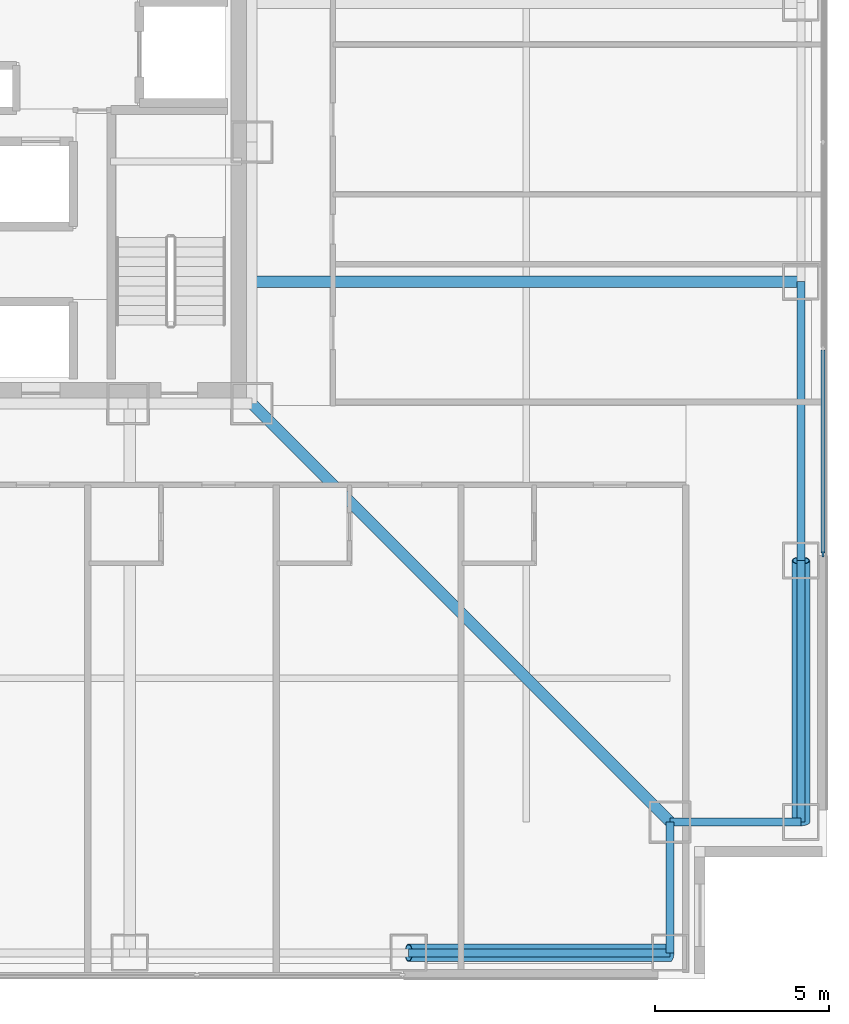
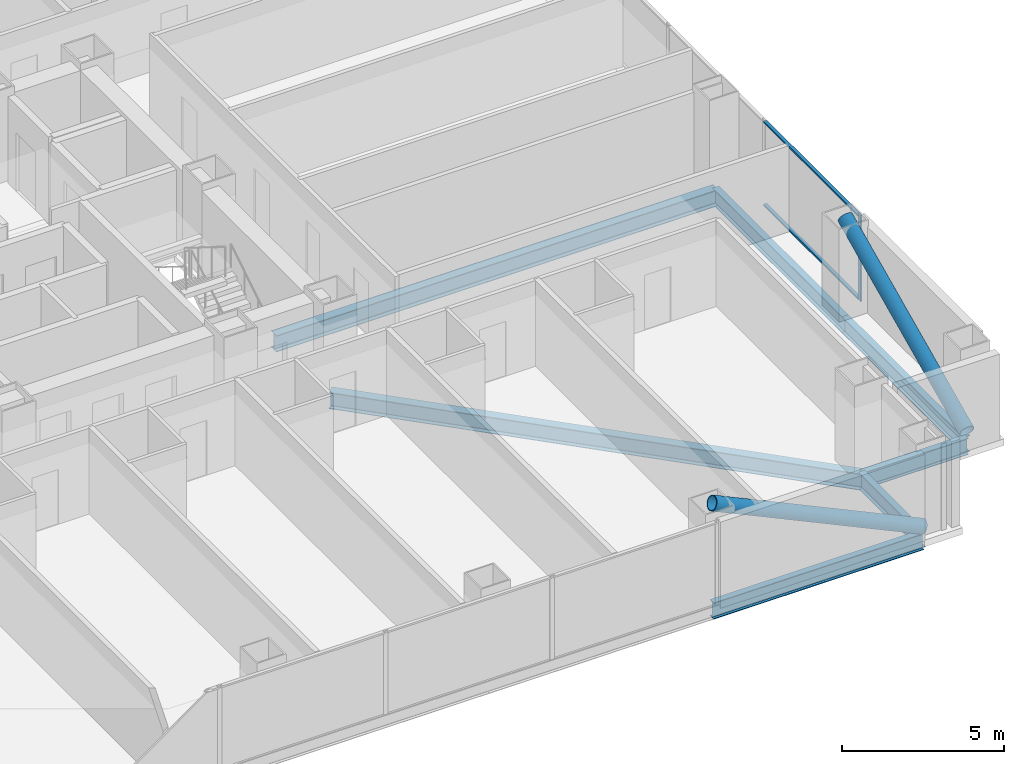
# One storey, part 9 of 23: 7 beams, 5 members, 1 element without a shape of its own.
"""IFC4 building model written with IfcOpenShell, lengths in metres."""

from ifc_helpers import new_model, si_unit, direction, frame, origin, origin_2d, place, context, subcontext, project, spatial, rectangle, hollow_circle, i_section, extrude, material, layer, layer_set, material_profile, profile_set, type_object, element, aggregate, save


model = new_model("IFC4")

# Units and contexts
model_context = context("Model", 3, precision=1e-05, world=origin(), true_north=direction((0.0, 1.0)))
body_context = subcontext(model_context, "Body", "Model", "MODEL_VIEW")
ifc_project = project(units=[si_unit("LENGTHUNIT", "METRE"), si_unit("AREAUNIT", "SQUARE_METRE"), si_unit("VOLUMEUNIT", "CUBIC_METRE"), si_unit("PLANEANGLEUNIT", "RADIAN"), si_unit("MASSUNIT", "GRAM", prefix="KILO")], contexts=[model_context])

# Site, building, storey
site_placement = place(None, origin())
site = spatial("IfcSite", under=ifc_project, at=site_placement, CompositionType="ELEMENT")
building_placement = place(site_placement, origin())
building = spatial("IfcBuilding", under=site, at=building_placement, Name="Trevonay Congress Spire", CompositionType="ELEMENT")
storey_placement = place(building_placement, frame((0.0, 0.0, 34.0)))
storey = spatial("IfcBuildingStorey", under=building, at=storey_placement, Name="L07", CompositionType="ELEMENT", Elevation=34.0)

# Beams
ifc_material_1 = material(Name="Steel ASTM A572 Grade 50", Category="steel")
ifc_material_profile_1 = material_profile(ifc_material_1, i_section(OverallWidth=0.324951171875, OverallDepth=0.615966796875, WebThickness=0.013916015625, FlangeThickness=0.021484375, FilletRadius=0.01806640625, at=origin_2d()), Name="W610x174")
ifc_profile_set_1 = profile_set([ifc_material_profile_1], Name="Steel ASTM A572 Grade 50")
beam_type_1 = type_object("IfcBeamType", Name="BM-GIRD-W610X174", PredefinedType="BEAM", material=ifc_profile_set_1)
beam_1_placement = place(storey_placement, frame((7.5, -7.5, -0.55810546875), z_axis=(0.707106781187, -0.707106781187, 0.0), x_axis=(0.707106781187, 0.707106781187, 0.0)))
element("IfcBeam", 1, at=beam_1_placement, inside=storey, type_object=beam_type_1, Name="L07 structural beam BM-L07-CDSE", PredefinedType="BEAM", context=body_context, shape_type="SweptSolid", body=[
    extrude(i_section(OverallWidth=0.324951171875, OverallDepth=0.615966796875, WebThickness=0.013916015625, FlangeThickness=0.021484375, FilletRadius=0.01806640625, at=origin_2d()), origin(), (0.0, 0.0, 1.0), 16.970458984375),
])
beam_2_placement = place(storey_placement, frame((7.5, -4.0, -0.55810546875), z_axis=(1.0, 0.0, 0.0), x_axis=(0.0, 1.0, 0.0)))
element("IfcBeam", 2, at=beam_2_placement, inside=storey, type_object=beam_type_1, Name="L07 structural beam BM-L07-GE-M", PredefinedType="BEAM", context=body_context, shape_type="SweptSolid", body=[
    extrude(i_section(OverallWidth=0.324951171875, OverallDepth=0.615966796875, WebThickness=0.013916015625, FlangeThickness=0.021484375, FilletRadius=0.01806640625, at=origin_2d()), origin(), (0.0, 0.0, 1.0), 15.75),
])
ifc_material_profile_2 = material_profile(ifc_material_1, i_section(OverallWidth=0.22998046875, OverallDepth=0.616943359375, WebThickness=0.01318359375, FlangeThickness=0.022216796875, FilletRadius=0.01611328125, at=origin_2d()), Name="W610x140")
ifc_profile_set_2 = profile_set([ifc_material_profile_2], Name="Steel ASTM A572 Grade 50")
beam_type_2 = type_object("IfcBeamType", Name="BM-RING-W610X140", PredefinedType="BEAM", material=ifc_profile_set_2)
beam_3_placement = place(storey_placement, frame((23.25, -19.5, -0.55859375), z_axis=(0.0, 1.0, 0.0), x_axis=(-1.0, 0.0, 0.0)))
element("IfcBeam", 3, at=beam_3_placement, inside=storey, type_object=beam_type_2, Name="L07 structural beam BM-L07-PE1", PredefinedType="BEAM", context=body_context, shape_type="SweptSolid", body=[
    extrude(i_section(OverallWidth=0.22998046875, OverallDepth=0.616943359375, WebThickness=0.01318359375, FlangeThickness=0.022216796875, FilletRadius=0.01611328125, at=origin_2d()), origin(), (0.0, 0.0, 1.0), 7.5),
])
beam_4_placement = place(storey_placement, frame((23.25, -12.0, -0.55859375), z_axis=(0.0, 1.0, 0.0), x_axis=(-1.0, 0.0, 0.0)))
element("IfcBeam", 4, at=beam_4_placement, inside=storey, type_object=beam_type_2, Name="L07 structural beam BM-L07-PE2", PredefinedType="BEAM", context=body_context, shape_type="SweptSolid", body=[
    extrude(i_section(OverallWidth=0.22998046875, OverallDepth=0.616943359375, WebThickness=0.01318359375, FlangeThickness=0.022216796875, FilletRadius=0.01611328125, at=origin_2d()), origin(), (0.0, 0.0, 1.0), 8.0),
])
beam_5_placement = place(storey_placement, frame((12.0, -23.25, -0.55859375), z_axis=(1.0, 0.0, 0.0), x_axis=(0.0, 1.0, 0.0)))
element("IfcBeam", 5, at=beam_5_placement, inside=storey, type_object=beam_type_2, Name="L07 structural beam BM-L07-PS5", PredefinedType="BEAM", context=body_context, shape_type="SweptSolid", body=[
    extrude(i_section(OverallWidth=0.22998046875, OverallDepth=0.616943359375, WebThickness=0.01318359375, FlangeThickness=0.022216796875, FilletRadius=0.01611328125, at=origin_2d()), origin(), (0.0, 0.0, 1.0), 7.5),
])
for number, where, z_axis, x_axis, name in (
    (6, (19.5, -23.25, -0.55859375), (0.0, 1.0, 0.0), (-1.0, 0.0, 0.0), "L07 structural beam BM-L07-N1SE"),
    (7, (23.25, -19.5, -0.55859375), (-1.0, 0.0, 0.0), (0.0, -1.0, 0.0), "L07 structural beam BM-L07-N2SE"),
):
    element("IfcBeam", number, at=place(storey_placement, frame(where, z_axis=z_axis, x_axis=x_axis)), inside=storey, type_object=beam_type_2, Name=name, PredefinedType="BEAM", context=body_context, shape_type="SweptSolid", body=[
        extrude(i_section(OverallWidth=0.22998046875, OverallDepth=0.616943359375, WebThickness=0.01318359375, FlangeThickness=0.022216796875, FilletRadius=0.01611328125, at=origin_2d()), origin(), (0.0, 0.0, 1.0), 3.75),
    ])

# Curtain wall, members
ifc_material_2 = material(Name="Pale Anodised Aluminium EN AW-6063-T6", Category="aluminium")
ifc_layer = layer(ifc_material_2, 0.179931640625, Name="Pale Anodised Aluminium EN AW-6063-T6")
ifc_layer_set = layer_set([ifc_layer], Name="Pale Anodised Aluminium EN AW-6063-T6")
curtain_wall_type = type_object("IfcCurtainWallType", Name="CW-SYS02-HOTEL-PALE-METAL", PredefinedType="NOTDEFINED", material=ifc_layer_set)
curtain_wall_placement = place(storey_placement, origin())
curtain_wall = element("IfcCurtainWall", 8, at=curtain_wall_placement, inside=storey, type_object=curtain_wall_type, Name="L07 E unitised curtain wall", PredefinedType="NOTDEFINED")
ifc_material_profile_3 = material_profile(ifc_material_2, rectangle(XDim=0.06005859375, YDim=0.159912109375, at=origin_2d()), Name="CW-MULLION-160-ALUMINIUM")
ifc_profile_set_3 = profile_set([ifc_material_profile_3], Name="Pale Anodised Aluminium EN AW-6063-T6")
member_type_1 = type_object("IfcMemberType", Name="CW-MULLION-160-ALUMINIUM", PredefinedType="MULLION", material=ifc_profile_set_3)
member_1_placement = place(storey_placement, frame((23.8798828125, -11.820068359375, 0.0), z_axis=(0.0, 0.0, 1.0), x_axis=(-1.0, 0.0, 0.0)))
member_1 = element("IfcMember", 9, at=member_1_placement, type_object=member_type_1, Name="CW02 mullion 1", PredefinedType="MULLION", context=body_context, shape_type="SweptSolid", body=[
    extrude(rectangle(XDim=0.06005859375, YDim=0.159912109375, at=origin_2d()), origin(), (0.0, 0.0, 1.0), 3.25),
])
ifc_material_profile_4 = material_profile(ifc_material_2, rectangle(XDim=0.1201171875, YDim=0.06005859375, at=origin_2d()), Name="CW-TRANSOM-120-ALUMINIUM")
ifc_profile_set_4 = profile_set([ifc_material_profile_4], Name="Pale Anodised Aluminium EN AW-6063-T6")
member_type_2 = type_object("IfcMemberType", Name="CW-TRANSOM-120-ALUMINIUM", PredefinedType="USERDEFINED", material=ifc_profile_set_4)
member_2_placement = place(storey_placement, frame((23.8798828125, -11.7900390625, 0.06005859375), z_axis=(0.0, 1.0, 0.0), x_axis=(-1.0, 0.0, 0.0)))
member_2 = element("IfcMember", 10, at=member_2_placement, type_object=member_type_2, Name="CW02 transom 1.1", ObjectType="TRANSOM", PredefinedType="USERDEFINED", context=body_context, shape_type="SweptSolid", body=[
    extrude(rectangle(XDim=0.1201171875, YDim=0.06005859375, at=origin_2d()), origin(), (0.0, 0.0, 1.0), 5.8349609375),
])
member_3_placement = place(storey_placement, frame((23.8798828125, -11.7900390625, 3.18994140625), z_axis=(0.0, 1.0, 0.0), x_axis=(-1.0, 0.0, 0.0)))
member_3 = element("IfcMember", 11, at=member_3_placement, type_object=member_type_2, Name="CW02 transom 1.2", ObjectType="TRANSOM", PredefinedType="USERDEFINED", context=body_context, shape_type="SweptSolid", body=[
    extrude(rectangle(XDim=0.1201171875, YDim=0.06005859375, at=origin_2d()), origin(), (0.0, 0.0, 1.0), 5.8349609375),
])
aggregate(curtain_wall, [member_1, member_2, member_3])

# Members
ifc_material_profile_5 = material_profile(ifc_material_1, hollow_circle(Radius=0.25390625, WallThickness=0.02490234375, at=origin_2d()), Name="CHS 508x25")
ifc_profile_set_5 = profile_set([ifc_material_profile_5], Name="Steel ASTM A572 Grade 50")
member_type_3 = type_object("IfcMemberType", Name="MBR-TUBE-CHS508", PredefinedType="BRACE", material=ifc_profile_set_5)
for number, where, z_axis, x_axis, name in (
    (12, (19.5, -23.25, -0.050048828125), (-0.906183139995, 0.0, 0.422885465331), (0.0, -1.0, 0.0), "L07 perimeter braced-tube diagonal S4"),
    (13, (23.25, -19.5, -0.050048828125), (0.0, 0.906183139995, 0.422885465331), (-1.0, 0.0, 0.0), "L07 perimeter braced-tube diagonal E0"),
):
    element("IfcMember", number, at=place(storey_placement, frame(where, z_axis=z_axis, x_axis=x_axis)), inside=storey, type_object=member_type_3, Name=name, PredefinedType="BRACE", context=body_context, shape_type="SweptSolid", body=[
        extrude(hollow_circle(Radius=0.25390625, WallThickness=0.02490234375, at=origin_2d()), origin(), (0.0, 0.0, 1.0), 8.2763671875),
    ])

save(model, "model.ifc")
